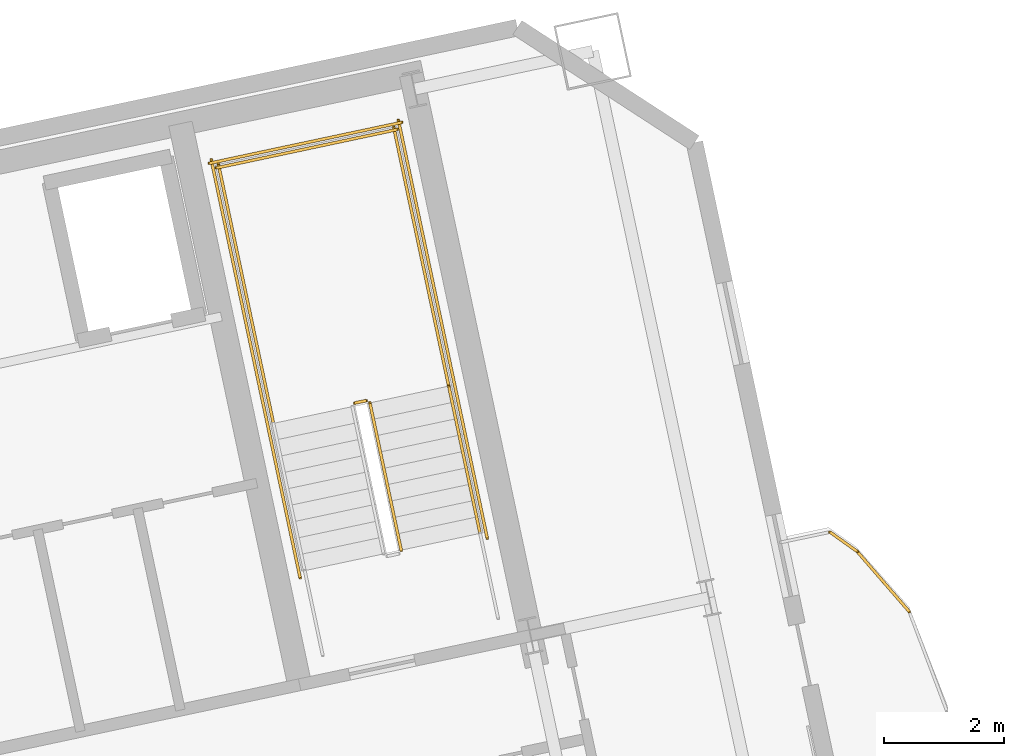
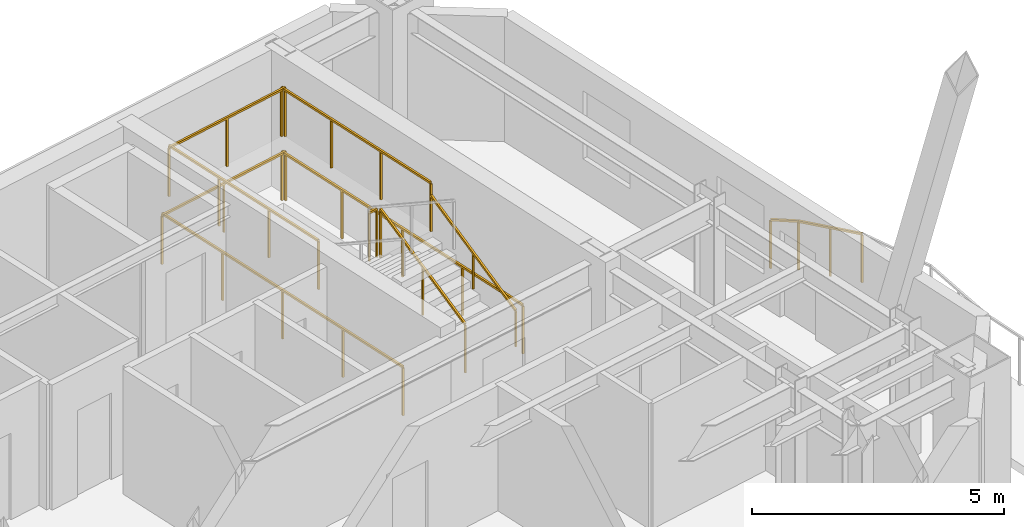
# One storey, part 14 of 14: 11 railings.
"""IFC4 building model written with IfcOpenShell, lengths in metres."""

from ifc_helpers import new_model, si_unit, direction, frame, origin, origin_2d, place, context, subcontext, project, spatial, rectangle, extrude, material, type_object, element, save


model = new_model("IFC4")

# Units and contexts
model_context = context("Model", 3, precision=1e-05, world=origin(), true_north=direction((0.0, 1.0)))
body_context = subcontext(model_context, "Body", "Model", "MODEL_VIEW")
ifc_project = project(units=[si_unit("LENGTHUNIT", "METRE"), si_unit("AREAUNIT", "SQUARE_METRE"), si_unit("VOLUMEUNIT", "CUBIC_METRE"), si_unit("PLANEANGLEUNIT", "RADIAN"), si_unit("MASSUNIT", "GRAM", prefix="KILO")], contexts=[model_context])

# Site, building, storey
site_placement = place(None, origin())
site = spatial("IfcSite", under=ifc_project, at=site_placement, CompositionType="ELEMENT")
building_placement = place(site_placement, origin())
building = spatial("IfcBuilding", under=site, at=building_placement, Name="Haevon Station Towers", CompositionType="ELEMENT")
storey_placement = place(building_placement, frame((0.0, 0.0, 208.800048828125)))
storey = spatial("IfcBuildingStorey", under=building, at=storey_placement, Name="L57", CompositionType="ELEMENT", Elevation=208.800048828125)

# Railings
ifc_material = material(Name="Steel S355", Category="steel")
railing_type_1 = type_object("IfcRailingType", Name="GRD-EXT1200", PredefinedType="GUARDRAIL", material=ifc_material)
railing_1_placement = place(storey_placement, frame((125.633056640625, 42.209716796875, 0.0)))
element("IfcRailing", 1, at=railing_1_placement, inside=storey, type_object=railing_type_1, Name="L57 Perimeter Guardrail 8", PredefinedType="GUARDRAIL", context=body_context, shape_type="SweptSolid", body=[
    extrude(rectangle(XDim=0.048095703125, YDim=0.048095703125, at=origin_2d()), frame((0.0, 0.0, 1.17578125), z_axis=(-0.654770507085, 0.755827746945, 0.0), x_axis=(-0.755827746945, -0.654770507085, 0.0)), (0.0, 0.0, 1.0), 1.3359375),
    extrude(rectangle(XDim=0.0419921875, YDim=0.0419921875, at=origin_2d()), origin(), (0.0, 0.0, 1.0), 1.15185546875),
    extrude(rectangle(XDim=0.0419921875, YDim=0.0419921875, at=origin_2d()), frame((-0.4375, 0.5048828125, 0.0)), (0.0, 0.0, 1.0), 1.15185546875),
    extrude(rectangle(XDim=0.0419921875, YDim=0.0419921875, at=origin_2d()), frame((-0.874755859375, 1.009765625, 0.0)), (0.0, 0.0, 1.0), 1.15185546875),
])
railing_2_placement = place(storey_placement, frame((124.75830078125, 43.219482421875, 0.0)))
element("IfcRailing", 2, at=railing_2_placement, inside=storey, type_object=railing_type_1, Name="L57 Perimeter Guardrail 9", PredefinedType="GUARDRAIL", context=body_context, shape_type="SweptSolid", body=[
    extrude(rectangle(XDim=0.048095703125, YDim=0.048095703125, at=origin_2d()), frame((0.0, 0.0, 1.17578125), z_axis=(-0.814353577604, 0.580369064168, 0.0), x_axis=(-0.580369064168, -0.814353577604, 0.0)), (0.0, 0.0, 1.0), 0.55810546875),
    extrude(rectangle(XDim=0.0419921875, YDim=0.0419921875, at=origin_2d()), origin(), (0.0, 0.0, 1.0), 1.15185546875),
    extrude(rectangle(XDim=0.0419921875, YDim=0.0419921875, at=origin_2d()), frame((-0.45458984375, 0.323974609375, 0.0)), (0.0, 0.0, 1.0), 1.15185546875),
])
railing_type_2 = type_object("IfcRailingType", Name="GRD-STR1200", PredefinedType="GUARDRAIL", material=ifc_material)
railing_3_placement = place(storey_placement, frame((117.128662109375, 43.23974609375, 0.1650390625)))
element("IfcRailing", 3, at=railing_3_placement, inside=storey, type_object=railing_type_2, Name="L57 ST4 Stair Guard 1", PredefinedType="GUARDRAIL", context=body_context, shape_type="SweptSolid", body=[
    extrude(rectangle(XDim=0.048095703125, YDim=0.048095703125, at=origin_2d()), frame((0.0, 0.0, 1.17578125), z_axis=(-0.179128856099, 0.842723639875, 0.507670877349), x_axis=(-0.978147030254, -0.207914374695, 0.0)), (0.0, 0.0, 1.0), 2.9248046875),
    extrude(rectangle(XDim=0.0419921875, YDim=0.0419921875, at=origin_2d()), origin(), (0.0, 0.0, 1.0), 1.15185546875),
    extrude(rectangle(XDim=0.0419921875, YDim=0.0419921875, at=origin_2d()), frame((-0.261962890625, 1.232421875, 0.742431640625)), (0.0, 0.0, 1.0), 1.15185546875),
    extrude(rectangle(XDim=0.0419921875, YDim=0.0419921875, at=origin_2d()), frame((-0.52392578125, 2.46484375, 1.48486328125)), (0.0, 0.0, 1.0), 1.15185546875),
])
railing_4_placement = place(storey_placement, frame((116.54541015625, 45.7431640625, 1.64990234375)))
element("IfcRailing", 4, at=railing_4_placement, inside=storey, type_object=railing_type_2, Name="L57 ST4 Stair Guard 2", PredefinedType="GUARDRAIL", context=body_context, shape_type="SweptSolid", body=[
    extrude(rectangle(XDim=0.048095703125, YDim=0.048095703125, at=origin_2d()), frame((0.0, 0.0, 1.17578125), z_axis=(-0.97826412705, -0.207362720198, 0.0), x_axis=(0.207362720198, -0.97826412705, 0.0)), (0.0, 0.0, 1.0), 0.2001953125),
    extrude(rectangle(XDim=0.0419921875, YDim=0.0419921875, at=origin_2d()), origin(), (0.0, 0.0, 1.0), 1.15185546875),
    extrude(rectangle(XDim=0.0419921875, YDim=0.0419921875, at=origin_2d()), frame((-0.19580078125, -0.04150390625, 0.0)), (0.0, 0.0, 1.0), 1.15185546875),
])
railing_5_placement = place(storey_placement, frame((117.925048828125, 45.9853515625, 1.64990234375)))
element("IfcRailing", 5, at=railing_5_placement, inside=storey, type_object=railing_type_2, Name="L57 ST4 Stair Guard 3", PredefinedType="GUARDRAIL", context=body_context, shape_type="SweptSolid", body=[
    extrude(rectangle(XDim=0.048095703125, YDim=0.048095703125, at=origin_2d()), frame((0.0, 0.0, 1.17578125), z_axis=(-0.207876551949, 0.978155069071, 0.0), x_axis=(-0.978155069071, -0.207876551949, 0.0)), (0.0, 0.0, 1.0), 4.429931640625),
    extrude(rectangle(XDim=0.0419921875, YDim=0.0419921875, at=origin_2d()), origin(), (0.0, 0.0, 1.0), 1.15185546875),
    extrude(rectangle(XDim=0.0419921875, YDim=0.0419921875, at=origin_2d()), frame((-0.306884765625, 1.4443359375, 0.0)), (0.0, 0.0, 1.0), 1.15185546875),
    extrude(rectangle(XDim=0.0419921875, YDim=0.0419921875, at=origin_2d()), frame((-0.614013671875, 2.888916015625, 0.0)), (0.0, 0.0, 1.0), 1.15185546875),
    extrude(rectangle(XDim=0.0419921875, YDim=0.0419921875, at=origin_2d()), frame((-0.9208984375, 4.333251953125, 0.0)), (0.0, 0.0, 1.0), 1.15185546875),
])
railing_6_placement = place(storey_placement, frame((114.99072265625, 45.361572265625, 1.64990234375)))
element("IfcRailing", 6, at=railing_6_placement, inside=storey, type_object=railing_type_2, Name="L57 ST4 Stair Guard 4", PredefinedType="GUARDRAIL", context=body_context, shape_type="SweptSolid", body=[
    extrude(rectangle(XDim=0.048095703125, YDim=0.048095703125, at=origin_2d()), frame((0.0, 0.0, 1.17578125), z_axis=(-0.207929280007, 0.978143861871, 0.0), x_axis=(-0.978143861871, -0.207929280007, 0.0)), (0.0, 0.0, 1.0), 4.43017578125),
    extrude(rectangle(XDim=0.0419921875, YDim=0.0419921875, at=origin_2d()), origin(), (0.0, 0.0, 1.0), 1.15185546875),
    extrude(rectangle(XDim=0.0419921875, YDim=0.0419921875, at=origin_2d()), frame((-0.30712890625, 1.4443359375, 0.0)), (0.0, 0.0, 1.0), 1.15185546875),
    extrude(rectangle(XDim=0.0419921875, YDim=0.0419921875, at=origin_2d()), frame((-0.614013671875, 2.888916015625, 0.0)), (0.0, 0.0, 1.0), 1.15185546875),
    extrude(rectangle(XDim=0.0419921875, YDim=0.0419921875, at=origin_2d()), frame((-0.921142578125, 4.333251953125, 0.0)), (0.0, 0.0, 1.0), 1.15185546875),
])
railing_7_placement = place(storey_placement, frame((117.0634765625, 50.280029296875, 1.64990234375)))
element("IfcRailing", 7, at=railing_7_placement, inside=storey, type_object=railing_type_2, Name="L57 ST4 Stair Guard 5", PredefinedType="GUARDRAIL", context=body_context, shape_type="SweptSolid", body=[
    extrude(rectangle(XDim=0.048095703125, YDim=0.048095703125, at=origin_2d()), frame((0.0, 0.0, 1.17578125), z_axis=(-0.978146839882, -0.207915270313, 0.0), x_axis=(0.207915270313, -0.978146839882, 0.0)), (0.0, 0.0, 1.0), 3.099853515625),
    extrude(rectangle(XDim=0.0419921875, YDim=0.0419921875, at=origin_2d()), origin(), (0.0, 0.0, 1.0), 1.15185546875),
    extrude(rectangle(XDim=0.0419921875, YDim=0.0419921875, at=origin_2d()), frame((-1.51611328125, -0.322265625, 0.0)), (0.0, 0.0, 1.0), 1.15185546875),
    extrude(rectangle(XDim=0.0419921875, YDim=0.0419921875, at=origin_2d()), frame((-3.0322265625, -0.64453125, 0.0)), (0.0, 0.0, 1.0), 1.15185546875),
])
railing_8_placement = place(storey_placement, frame((118.567626953125, 43.443359375, 0.0)))
element("IfcRailing", 8, at=railing_8_placement, inside=storey, type_object=railing_type_2, Name="L57 ST4 Stair Guard 10", PredefinedType="GUARDRAIL", context=body_context, shape_type="SweptSolid", body=[
    extrude(rectangle(XDim=0.048095703125, YDim=0.048095703125, at=origin_2d()), frame((0.0, 0.0, 1.17578125), z_axis=(-0.207908168386, 0.978148349443, 0.0), x_axis=(-0.978148349443, -0.207908168386, 0.0)), (0.0, 0.0, 1.0), 7.150146484375),
    extrude(rectangle(XDim=0.0419921875, YDim=0.0419921875, at=origin_2d()), origin(), (0.0, 0.0, 1.0), 1.15185546875),
    extrude(rectangle(XDim=0.0419921875, YDim=0.0419921875, at=origin_2d()), frame((-0.37158203125, 1.74853515625, 0.0)), (0.0, 0.0, 1.0), 1.15185546875),
    extrude(rectangle(XDim=0.0419921875, YDim=0.0419921875, at=origin_2d()), frame((-0.7431640625, 3.4970703125, 0.0)), (0.0, 0.0, 1.0), 1.15185546875),
    extrude(rectangle(XDim=0.0419921875, YDim=0.0419921875, at=origin_2d()), frame((-1.114990234375, 5.245361328125, 0.0)), (0.0, 0.0, 1.0), 1.15185546875),
    extrude(rectangle(XDim=0.0419921875, YDim=0.0419921875, at=origin_2d()), frame((-1.486572265625, 6.993896484375, 0.0)), (0.0, 0.0, 1.0), 1.15185546875),
])
railing_9_placement = place(storey_placement, frame((115.4375, 42.778076171875, 0.0)))
element("IfcRailing", 9, at=railing_9_placement, inside=storey, type_object=railing_type_2, Name="L57 ST4 Stair Guard 11", PredefinedType="GUARDRAIL", context=body_context, shape_type="SweptSolid", body=[
    extrude(rectangle(XDim=0.048095703125, YDim=0.048095703125, at=origin_2d()), frame((0.0, 0.0, 1.17578125), z_axis=(-0.207882442208, 0.978153817261, 0.0), x_axis=(-0.978153817261, -0.207882442208, 0.0)), (0.0, 0.0, 1.0), 7.14990234375),
    extrude(rectangle(XDim=0.0419921875, YDim=0.0419921875, at=origin_2d()), origin(), (0.0, 0.0, 1.0), 1.15185546875),
    extrude(rectangle(XDim=0.0419921875, YDim=0.0419921875, at=origin_2d()), frame((-0.37158203125, 1.74853515625, 0.0)), (0.0, 0.0, 1.0), 1.15185546875),
    extrude(rectangle(XDim=0.0419921875, YDim=0.0419921875, at=origin_2d()), frame((-0.7431640625, 3.496826171875, 0.0)), (0.0, 0.0, 1.0), 1.15185546875),
    extrude(rectangle(XDim=0.0419921875, YDim=0.0419921875, at=origin_2d()), frame((-1.11474609375, 5.2451171875, 0.0)), (0.0, 0.0, 1.0), 1.15185546875),
    extrude(rectangle(XDim=0.0419921875, YDim=0.0419921875, at=origin_2d()), frame((-1.486328125, 6.99365234375, 0.0)), (0.0, 0.0, 1.0), 1.15185546875),
])
railing_10_placement = place(storey_placement, frame((117.140380859375, 50.398681640625, 0.0)))
element("IfcRailing", 10, at=railing_10_placement, inside=storey, type_object=railing_type_2, Name="L57 ST4 Stair Guard 12", PredefinedType="GUARDRAIL", context=body_context, shape_type="SweptSolid", body=[
    extrude(rectangle(XDim=0.048095703125, YDim=0.048095703125, at=origin_2d()), frame((0.0, 0.0, 1.17578125), z_axis=(-0.978135717418, -0.207967589567, 0.0), x_axis=(0.207967589567, -0.978135717418, 0.0)), (0.0, 0.0, 1.0), 3.300048828125),
    extrude(rectangle(XDim=0.0419921875, YDim=0.0419921875, at=origin_2d()), origin(), (0.0, 0.0, 1.0), 1.15185546875),
    extrude(rectangle(XDim=0.0419921875, YDim=0.0419921875, at=origin_2d()), frame((-1.61376953125, -0.34326171875, 0.0)), (0.0, 0.0, 1.0), 1.15185546875),
    extrude(rectangle(XDim=0.0419921875, YDim=0.0419921875, at=origin_2d()), frame((-3.227783203125, -0.686279296875, 0.0)), (0.0, 0.0, 1.0), 1.15185546875),
])
railing_type_3 = type_object("IfcRailingType", Name="HND-STR900", PredefinedType="HANDRAIL", material=ifc_material)
railing_11_placement = place(storey_placement, frame((118.448974609375, 43.5205078125, 0.1650390625)))
element("IfcRailing", 11, at=railing_11_placement, inside=storey, type_object=railing_type_3, Name="L57 ST4 Stair Handrail 1", PredefinedType="HANDRAIL", context=body_context, shape_type="SweptSolid", body=[
    extrude(rectangle(XDim=0.048095703125, YDim=0.048095703125, at=origin_2d()), frame((0.0, 0.0, 0.8759765625), z_axis=(-0.179128856099, 0.842723639875, 0.507670877349), x_axis=(-0.978147030254, -0.207914374695, 0.0)), (0.0, 0.0, 1.0), 2.9248046875),
    extrude(rectangle(XDim=0.0419921875, YDim=0.0419921875, at=origin_2d()), origin(), (0.0, 0.0, 1.0), 0.851806640625),
    extrude(rectangle(XDim=0.0419921875, YDim=0.0419921875, at=origin_2d()), frame((-0.261962890625, 1.232421875, 0.742431640625)), (0.0, 0.0, 1.0), 0.851806640625),
    extrude(rectangle(XDim=0.0419921875, YDim=0.0419921875, at=origin_2d()), frame((-0.52392578125, 2.46484375, 1.48486328125)), (0.0, 0.0, 1.0), 0.851806640625),
])

save(model, "model.ifc")
